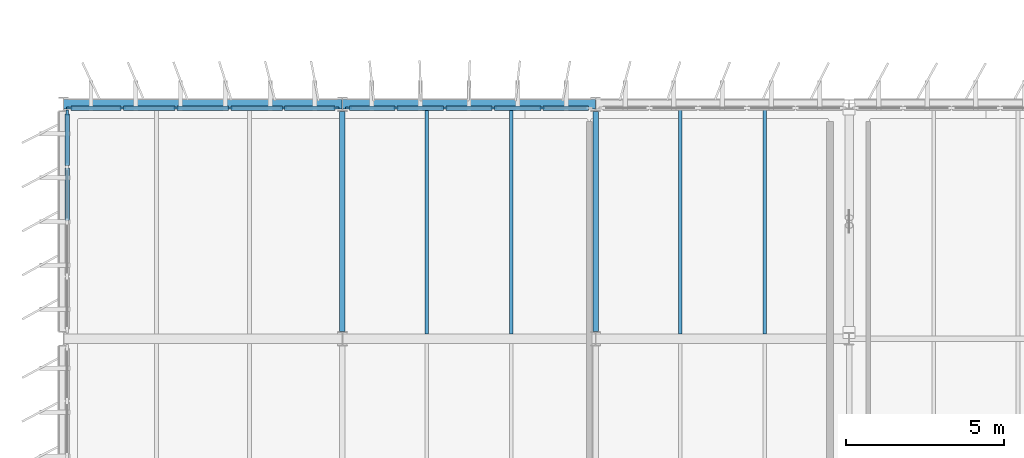
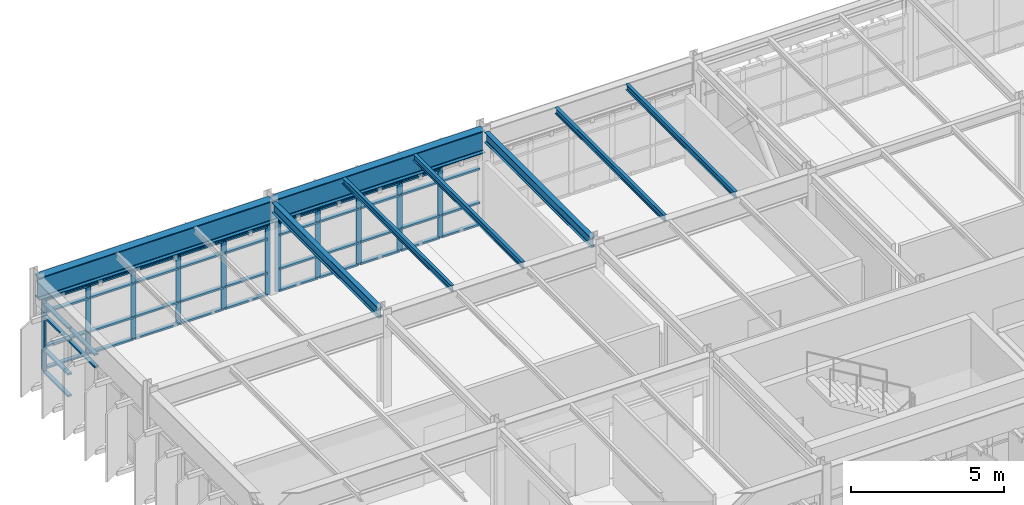
# One storey, part 7 of 35: 57 members, 8 beams, 3 elements without a shape of their own.
"""IFC4 building model written with IfcOpenShell, lengths in metres."""

from ifc_helpers import new_model, si_unit, direction, frame, origin, origin_2d, place, context, subcontext, project, spatial, rectangle, i_section, extrude, material, layer, layer_set, material_profile, profile_set, type_object, element, aggregate, save


model = new_model("IFC4")

# Units and contexts
model_context = context("Model", 3, precision=1e-05, world=origin(), true_north=direction((0.0, 1.0)))
body_context = subcontext(model_context, "Body", "Model", "MODEL_VIEW")
ifc_project = project(units=[si_unit("LENGTHUNIT", "METRE"), si_unit("AREAUNIT", "SQUARE_METRE"), si_unit("VOLUMEUNIT", "CUBIC_METRE"), si_unit("PLANEANGLEUNIT", "RADIAN"), si_unit("MASSUNIT", "GRAM", prefix="KILO")], contexts=[model_context])

# Site, building, storey
site_placement = place(None, origin())
site = spatial("IfcSite", under=ifc_project, at=site_placement, CompositionType="ELEMENT")
building_placement = place(site_placement, origin())
building = spatial("IfcBuilding", under=site, at=building_placement, Name="Valkorina Park Police Headquarters", CompositionType="ELEMENT")
storey_placement = place(building_placement, frame((0.0, 0.0, 27.199951171875)))
storey = spatial("IfcBuildingStorey", under=building, at=storey_placement, Name="L07", CompositionType="ELEMENT", Elevation=27.199951171875)

# Beams
ifc_material_1 = material(Name="Steel S355", Category="steel")
ifc_material_profile_1 = material_profile(ifc_material_1, i_section(OverallWidth=0.300048828125, OverallDepth=0.89990234375, WebThickness=0.0185546875, FlangeThickness=0.034912109375, FilletRadius=0.030029296875, at=origin_2d()), Name="HEB 900")
ifc_profile_set_1 = profile_set([ifc_material_profile_1], Name="Steel S355")
beam_type_1 = type_object("IfcBeamType", Name="BM-S355-HEB900-EXT", PredefinedType="SPANDREL", material=ifc_profile_set_1)
beam_1_placement = place(storey_placement, frame((0.007080078125, 59.199951171875, 3.22998046875), z_axis=(1.0, 0.0, 0.0), x_axis=(0.0, 1.0, 0.0)))
element("IfcBeam", 1, at=beam_1_placement, inside=storey, type_object=beam_type_1, Name="L07 Framing Beam 2744", PredefinedType="SPANDREL", context=body_context, shape_type="SweptSolid", body=[
    extrude(i_section(OverallWidth=0.300048828125, OverallDepth=0.89990234375, WebThickness=0.0185546875, FlangeThickness=0.034912109375, FilletRadius=0.030029296875, at=origin_2d()), origin(), (0.0, 0.0, 1.0), 8.785888671875),
])
beam_2_placement = place(storey_placement, frame((8.806884765625, 59.199951171875, 3.22998046875), z_axis=(1.0, 0.0, 0.0), x_axis=(0.0, 1.0, 0.0)))
element("IfcBeam", 2, at=beam_2_placement, inside=storey, type_object=beam_type_1, Name="L07 Framing Beam 2745", PredefinedType="SPANDREL", context=body_context, shape_type="SweptSolid", body=[
    extrude(i_section(OverallWidth=0.300048828125, OverallDepth=0.89990234375, WebThickness=0.0185546875, FlangeThickness=0.034912109375, FilletRadius=0.030029296875, at=origin_2d()), origin(), (0.0, 0.0, 1.0), 7.986083984375),
])
ifc_material_profile_2 = material_profile(ifc_material_1, i_section(OverallWidth=0.1201171875, OverallDepth=0.239990234375, WebThickness=0.006103515625, FlangeThickness=0.009765625, FilletRadius=0.014892578125, at=origin_2d()), Name="IPE 240")
ifc_profile_set_2 = profile_set([ifc_material_profile_2], Name="Steel S355")
beam_type_2 = type_object("IfcBeamType", Name="BM-S355-IPE240-JST", PredefinedType="JOIST", material=ifc_profile_set_2)
for number, where, z_axis, x_axis, name in (
    (3, (11.466796875, 51.949951171875, 3.56005859375), (0.0, 1.0, 0.0), (-1.0, 0.0, 0.0), "L07 Framing Beam 2769"),
    (4, (14.13330078125, 51.949951171875, 3.56005859375), (0.0, 1.0, 0.0), (-1.0, 0.0, 0.0), "L07 Framing Beam 2770"),
    (5, (19.466796875, 51.949951171875, 3.56005859375), (0.0, 1.0, 0.0), (-1.0, 0.0, 0.0), "L07 Framing Beam 2776"),
    (6, (22.13330078125, 51.949951171875, 3.56005859375), (0.0, 1.0, 0.0), (-1.0, 0.0, 0.0), "L07 Framing Beam 2777"),
):
    element("IfcBeam", number, at=place(storey_placement, frame(where, z_axis=z_axis, x_axis=x_axis)), inside=storey, type_object=beam_type_2, Name=name, PredefinedType="JOIST", context=body_context, shape_type="SweptSolid", body=[
        extrude(i_section(OverallWidth=0.1201171875, OverallDepth=0.239990234375, WebThickness=0.006103515625, FlangeThickness=0.009765625, FilletRadius=0.014892578125, at=origin_2d()), origin(), (0.0, 0.0, 1.0), 7.10009765625),
    ])
ifc_material_profile_3 = material_profile(ifc_material_1, i_section(OverallWidth=0.179931640625, OverallDepth=0.39990234375, WebThickness=0.008544921875, FlangeThickness=0.013427734375, FilletRadius=0.02099609375, at=origin_2d()), Name="IPE 400")
ifc_profile_set_3 = profile_set([ifc_material_profile_3], Name="Steel S355")
beam_type_3 = type_object("IfcBeamType", Name="BM-S355-IPE400-BM", PredefinedType="BEAM", material=ifc_profile_set_3)
for number, where, z_axis, x_axis, name in (
    (7, (8.800048828125, 52.02490234375, 3.47998046875), (0.0, 1.0, 0.0), (-1.0, 0.0, 0.0), "L07 Framing Beam 2768"),
    (8, (16.800048828125, 52.02490234375, 3.47998046875), (0.0, 1.0, 0.0), (-1.0, 0.0, 0.0), "L07 Framing Beam 2775"),
):
    element("IfcBeam", number, at=place(storey_placement, frame(where, z_axis=z_axis, x_axis=x_axis)), inside=storey, type_object=beam_type_3, Name=name, PredefinedType="BEAM", context=body_context, shape_type="SweptSolid", body=[
        extrude(i_section(OverallWidth=0.179931640625, OverallDepth=0.39990234375, WebThickness=0.008544921875, FlangeThickness=0.013427734375, FilletRadius=0.02099609375, at=origin_2d()), origin(), (0.0, 0.0, 1.0), 6.9501953125),
    ])

# Curtain wall, member
ifc_material_2 = material(Name="Thermally broken aluminium AW-6060", Category="aluminium")
ifc_layer_1 = layer(ifc_material_2, 0.18994140625)
ifc_layer_set_1 = layer_set([ifc_layer_1], Name="Thermally broken aluminium AW-6060")
curtain_wall_type_1 = type_object("IfcCurtainWallType", Name="CW-V5-6930x2770", PredefinedType="NOTDEFINED", material=ifc_layer_set_1)
curtain_wall_1_placement = place(storey_placement, origin())
curtain_wall_1 = element("IfcCurtainWall", 9, at=curtain_wall_1_placement, inside=storey, type_object=curtain_wall_type_1, Name="L07 Unitised Curtain Wall 144", PredefinedType="NOTDEFINED")
ifc_material_profile_4 = material_profile(ifc_material_2, rectangle(XDim=0.070068359375, YDim=0.18994140625, at=origin_2d()), Name="CWM-02 70x190")
ifc_profile_set_4 = profile_set([ifc_material_profile_4], Name="Thermally broken aluminium AW-6060")
member_type_1 = type_object("IfcMemberType", Name="CWM-70x190", PredefinedType="MULLION", material=ifc_profile_set_4)
member_1_placement = place(storey_placement, frame((0.1201171875, 58.929931640625, 0.0), z_axis=(0.0, 0.0, 1.0), x_axis=(-1.0, 0.0, 0.0)))
member_1 = element("IfcMember", 10, at=member_1_placement, type_object=member_type_1, Name="CW-V5-693-277 mullion 5", PredefinedType="MULLION", context=body_context, shape_type="SweptSolid", body=[
    extrude(rectangle(XDim=0.070068359375, YDim=0.18994140625, at=origin_2d()), origin(), (0.0, 0.0, 1.0), 2.77001953125),
])

# Curtain wall, members
ifc_layer_2 = layer(ifc_material_2, 0.18994140625)
ifc_layer_set_2 = layer_set([ifc_layer_2], Name="Thermally broken aluminium AW-6060")
curtain_wall_type_2 = type_object("IfcCurtainWallType", Name="CW-V5-8480x2770", PredefinedType="NOTDEFINED", material=ifc_layer_set_2)
curtain_wall_2_placement = place(storey_placement, origin())
curtain_wall_2 = element("IfcCurtainWall", 11, at=curtain_wall_2_placement, inside=storey, type_object=curtain_wall_type_2, Name="L07 Unitised Curtain Wall 145", PredefinedType="NOTDEFINED")
member_2_placement = place(storey_placement, frame((0.195068359375, 59.080078125, 0.0), z_axis=(0.0, 0.0, 1.0), x_axis=(0.0, 1.0, 0.0)))
member_2 = element("IfcMember", 12, at=member_2_placement, type_object=member_type_1, Name="CW-V5-848-277 mullion 1", PredefinedType="MULLION", context=body_context, shape_type="SweptSolid", body=[
    extrude(rectangle(XDim=0.070068359375, YDim=0.18994140625, at=origin_2d()), origin(), (0.0, 0.0, 1.0), 2.77001953125),
])
member_3_placement = place(storey_placement, frame((1.85595703125, 59.080078125, 0.0), z_axis=(0.0, 0.0, 1.0), x_axis=(0.0, 1.0, 0.0)))
member_3 = element("IfcMember", 13, at=member_3_placement, type_object=member_type_1, Name="CW-V5-848-277 mullion 2", PredefinedType="MULLION", context=body_context, shape_type="SweptSolid", body=[
    extrude(rectangle(XDim=0.070068359375, YDim=0.18994140625, at=origin_2d()), origin(), (0.0, 0.0, 1.0), 2.77001953125),
])
member_4_placement = place(storey_placement, frame((3.552001953125, 59.080078125, 0.0), z_axis=(0.0, 0.0, 1.0), x_axis=(0.0, 1.0, 0.0)))
member_4 = element("IfcMember", 14, at=member_4_placement, type_object=member_type_1, Name="CW-V5-848-277 mullion 3", PredefinedType="MULLION", context=body_context, shape_type="SweptSolid", body=[
    extrude(rectangle(XDim=0.070068359375, YDim=0.18994140625, at=origin_2d()), origin(), (0.0, 0.0, 1.0), 2.77001953125),
])
member_5_placement = place(storey_placement, frame((5.248046875, 59.080078125, 0.0), z_axis=(0.0, 0.0, 1.0), x_axis=(0.0, 1.0, 0.0)))
member_5 = element("IfcMember", 15, at=member_5_placement, type_object=member_type_1, Name="CW-V5-848-277 mullion 4", PredefinedType="MULLION", context=body_context, shape_type="SweptSolid", body=[
    extrude(rectangle(XDim=0.070068359375, YDim=0.18994140625, at=origin_2d()), origin(), (0.0, 0.0, 1.0), 2.77001953125),
])
member_6_placement = place(storey_placement, frame((6.944091796875, 59.080078125, 0.0), z_axis=(0.0, 0.0, 1.0), x_axis=(0.0, 1.0, 0.0)))
member_6 = element("IfcMember", 16, at=member_6_placement, type_object=member_type_1, Name="CW-V5-848-277 mullion 5", PredefinedType="MULLION", context=body_context, shape_type="SweptSolid", body=[
    extrude(rectangle(XDim=0.070068359375, YDim=0.18994140625, at=origin_2d()), origin(), (0.0, 0.0, 1.0), 2.77001953125),
])
member_7_placement = place(storey_placement, frame((8.60498046875, 59.080078125, 0.0), z_axis=(0.0, 0.0, 1.0), x_axis=(0.0, 1.0, 0.0)))
member_7 = element("IfcMember", 17, at=member_7_placement, type_object=member_type_1, Name="CW-V5-848-277 mullion 6", PredefinedType="MULLION", context=body_context, shape_type="SweptSolid", body=[
    extrude(rectangle(XDim=0.070068359375, YDim=0.18994140625, at=origin_2d()), origin(), (0.0, 0.0, 1.0), 2.77001953125),
])

ifc_layer_3 = layer(ifc_material_2, 0.18994140625)
ifc_layer_set_3 = layer_set([ifc_layer_3], Name="Thermally broken aluminium AW-6060")
curtain_wall_type_3 = type_object("IfcCurtainWallType", Name="CW-V5-7680x2770", PredefinedType="NOTDEFINED", material=ifc_layer_set_3)
curtain_wall_3_placement = place(storey_placement, origin())
curtain_wall_3 = element("IfcCurtainWall", 18, at=curtain_wall_3_placement, inside=storey, type_object=curtain_wall_type_3, Name="L07 Unitised Curtain Wall 146", PredefinedType="NOTDEFINED")
member_8_placement = place(storey_placement, frame((8.9951171875, 59.080078125, 0.0), z_axis=(0.0, 0.0, 1.0), x_axis=(0.0, 1.0, 0.0)))
member_8 = element("IfcMember", 19, at=member_8_placement, type_object=member_type_1, Name="CW-V5-768-277 mullion 1", PredefinedType="MULLION", context=body_context, shape_type="SweptSolid", body=[
    extrude(rectangle(XDim=0.070068359375, YDim=0.18994140625, at=origin_2d()), origin(), (0.0, 0.0, 1.0), 2.77001953125),
])
member_9_placement = place(storey_placement, frame((10.49609375, 59.080078125, 0.0), z_axis=(0.0, 0.0, 1.0), x_axis=(0.0, 1.0, 0.0)))
member_9 = element("IfcMember", 20, at=member_9_placement, type_object=member_type_1, Name="CW-V5-768-277 mullion 2", PredefinedType="MULLION", context=body_context, shape_type="SweptSolid", body=[
    extrude(rectangle(XDim=0.070068359375, YDim=0.18994140625, at=origin_2d()), origin(), (0.0, 0.0, 1.0), 2.77001953125),
])
member_10_placement = place(storey_placement, frame((12.031982421875, 59.080078125, 0.0), z_axis=(0.0, 0.0, 1.0), x_axis=(0.0, 1.0, 0.0)))
member_10 = element("IfcMember", 21, at=member_10_placement, type_object=member_type_1, Name="CW-V5-768-277 mullion 3", PredefinedType="MULLION", context=body_context, shape_type="SweptSolid", body=[
    extrude(rectangle(XDim=0.070068359375, YDim=0.18994140625, at=origin_2d()), origin(), (0.0, 0.0, 1.0), 2.77001953125),
])
member_11_placement = place(storey_placement, frame((13.568115234375, 59.080078125, 0.0), z_axis=(0.0, 0.0, 1.0), x_axis=(0.0, 1.0, 0.0)))
member_11 = element("IfcMember", 22, at=member_11_placement, type_object=member_type_1, Name="CW-V5-768-277 mullion 4", PredefinedType="MULLION", context=body_context, shape_type="SweptSolid", body=[
    extrude(rectangle(XDim=0.070068359375, YDim=0.18994140625, at=origin_2d()), origin(), (0.0, 0.0, 1.0), 2.77001953125),
])
member_12_placement = place(storey_placement, frame((15.10400390625, 59.080078125, 0.0), z_axis=(0.0, 0.0, 1.0), x_axis=(0.0, 1.0, 0.0)))
member_12 = element("IfcMember", 23, at=member_12_placement, type_object=member_type_1, Name="CW-V5-768-277 mullion 5", PredefinedType="MULLION", context=body_context, shape_type="SweptSolid", body=[
    extrude(rectangle(XDim=0.070068359375, YDim=0.18994140625, at=origin_2d()), origin(), (0.0, 0.0, 1.0), 2.77001953125),
])

# Member
ifc_material_profile_5 = material_profile(ifc_material_2, rectangle(XDim=0.14990234375, YDim=0.070068359375, at=origin_2d()), Name="CWT-02 150x70")
ifc_profile_set_5 = profile_set([ifc_material_profile_5], Name="Thermally broken aluminium AW-6060")
member_type_2 = type_object("IfcMemberType", Name="CWT-150x70", PredefinedType="USERDEFINED", material=ifc_profile_set_5)
member_13_placement = place(storey_placement, frame((0.1201171875, 55.534912109375, 2.25), z_axis=(0.0, 1.0, 0.0), x_axis=(-1.0, 0.0, 0.0)))
member_13 = element("IfcMember", 24, at=member_13_placement, type_object=member_type_2, Name="CW-V5-693-277 transom 3.3", ObjectType="TRANSOM", PredefinedType="USERDEFINED", context=body_context, shape_type="SweptSolid", body=[
    extrude(rectangle(XDim=0.14990234375, YDim=0.070068359375, at=origin_2d()), origin(), (0.0, 0.0, 1.0), 1.66259765625),
])

member_14_placement = place(storey_placement, frame((0.1201171875, 55.534912109375, 2.735107421875), z_axis=(0.0, 1.0, 0.0), x_axis=(-1.0, 0.0, 0.0)))
member_14 = element("IfcMember", 25, at=member_14_placement, type_object=member_type_2, Name="CW-V5-693-277 transom 3.4", ObjectType="TRANSOM", PredefinedType="USERDEFINED", context=body_context, shape_type="SweptSolid", body=[
    extrude(rectangle(XDim=0.14990234375, YDim=0.070068359375, at=origin_2d()), origin(), (0.0, 0.0, 1.0), 1.66259765625),
])

member_15_placement = place(storey_placement, frame((0.1201171875, 57.267578125, 0.03515625), z_axis=(0.0, 1.0, 0.0), x_axis=(-1.0, 0.0, 0.0)))
member_15 = element("IfcMember", 26, at=member_15_placement, type_object=member_type_2, Name="CW-V5-693-277 transom 4.1", ObjectType="TRANSOM", PredefinedType="USERDEFINED", context=body_context, shape_type="SweptSolid", body=[
    extrude(rectangle(XDim=0.14990234375, YDim=0.070068359375, at=origin_2d()), origin(), (0.0, 0.0, 1.0), 1.62744140625),
])

member_16_placement = place(storey_placement, frame((0.1201171875, 57.267578125, 0.900146484375), z_axis=(0.0, 1.0, 0.0), x_axis=(-1.0, 0.0, 0.0)))
member_16 = element("IfcMember", 27, at=member_16_placement, type_object=member_type_2, Name="CW-V5-693-277 transom 4.2", ObjectType="TRANSOM", PredefinedType="USERDEFINED", context=body_context, shape_type="SweptSolid", body=[
    extrude(rectangle(XDim=0.14990234375, YDim=0.070068359375, at=origin_2d()), origin(), (0.0, 0.0, 1.0), 1.62744140625),
])

member_17_placement = place(storey_placement, frame((0.1201171875, 57.267578125, 2.25), z_axis=(0.0, 1.0, 0.0), x_axis=(-1.0, 0.0, 0.0)))
member_17 = element("IfcMember", 28, at=member_17_placement, type_object=member_type_2, Name="CW-V5-693-277 transom 4.3", ObjectType="TRANSOM", PredefinedType="USERDEFINED", context=body_context, shape_type="SweptSolid", body=[
    extrude(rectangle(XDim=0.14990234375, YDim=0.070068359375, at=origin_2d()), origin(), (0.0, 0.0, 1.0), 1.62744140625),
])

member_18_placement = place(storey_placement, frame((0.1201171875, 57.267578125, 2.735107421875), z_axis=(0.0, 1.0, 0.0), x_axis=(-1.0, 0.0, 0.0)))
member_18 = element("IfcMember", 29, at=member_18_placement, type_object=member_type_2, Name="CW-V5-693-277 transom 4.4", ObjectType="TRANSOM", PredefinedType="USERDEFINED", context=body_context, shape_type="SweptSolid", body=[
    extrude(rectangle(XDim=0.14990234375, YDim=0.070068359375, at=origin_2d()), origin(), (0.0, 0.0, 1.0), 1.62744140625),
])

aggregate(curtain_wall_1, [member_1, member_13, member_14, member_15, member_16, member_17, member_18])

member_19_placement = place(storey_placement, frame((0.22998046875, 59.080078125, 0.03515625), z_axis=(1.0, 0.0, 0.0), x_axis=(0.0, 1.0, 0.0)))
member_19 = element("IfcMember", 30, at=member_19_placement, type_object=member_type_2, Name="CW-V5-848-277 transom 1.1", ObjectType="TRANSOM", PredefinedType="USERDEFINED", context=body_context, shape_type="SweptSolid", body=[
    extrude(rectangle(XDim=0.14990234375, YDim=0.070068359375, at=origin_2d()), origin(), (0.0, 0.0, 1.0), 1.591064453125),
])

member_20_placement = place(storey_placement, frame((0.22998046875, 59.080078125, 0.900146484375), z_axis=(1.0, 0.0, 0.0), x_axis=(0.0, 1.0, 0.0)))
member_20 = element("IfcMember", 31, at=member_20_placement, type_object=member_type_2, Name="CW-V5-848-277 transom 1.2", ObjectType="TRANSOM", PredefinedType="USERDEFINED", context=body_context, shape_type="SweptSolid", body=[
    extrude(rectangle(XDim=0.14990234375, YDim=0.070068359375, at=origin_2d()), origin(), (0.0, 0.0, 1.0), 1.591064453125),
])

member_21_placement = place(storey_placement, frame((0.22998046875, 59.080078125, 2.25), z_axis=(1.0, 0.0, 0.0), x_axis=(0.0, 1.0, 0.0)))
member_21 = element("IfcMember", 32, at=member_21_placement, type_object=member_type_2, Name="CW-V5-848-277 transom 1.3", ObjectType="TRANSOM", PredefinedType="USERDEFINED", context=body_context, shape_type="SweptSolid", body=[
    extrude(rectangle(XDim=0.14990234375, YDim=0.070068359375, at=origin_2d()), origin(), (0.0, 0.0, 1.0), 1.591064453125),
])

member_22_placement = place(storey_placement, frame((0.22998046875, 59.080078125, 2.735107421875), z_axis=(1.0, 0.0, 0.0), x_axis=(0.0, 1.0, 0.0)))
member_22 = element("IfcMember", 33, at=member_22_placement, type_object=member_type_2, Name="CW-V5-848-277 transom 1.4", ObjectType="TRANSOM", PredefinedType="USERDEFINED", context=body_context, shape_type="SweptSolid", body=[
    extrude(rectangle(XDim=0.14990234375, YDim=0.070068359375, at=origin_2d()), origin(), (0.0, 0.0, 1.0), 1.591064453125),
])

member_23_placement = place(storey_placement, frame((1.89111328125, 59.080078125, 0.03515625), z_axis=(1.0, 0.0, 0.0), x_axis=(0.0, 1.0, 0.0)))
member_23 = element("IfcMember", 34, at=member_23_placement, type_object=member_type_2, Name="CW-V5-848-277 transom 2.1", ObjectType="TRANSOM", PredefinedType="USERDEFINED", context=body_context, shape_type="SweptSolid", body=[
    extrude(rectangle(XDim=0.14990234375, YDim=0.070068359375, at=origin_2d()), origin(), (0.0, 0.0, 1.0), 1.6259765625),
])

member_24_placement = place(storey_placement, frame((1.89111328125, 59.080078125, 0.900146484375), z_axis=(1.0, 0.0, 0.0), x_axis=(0.0, 1.0, 0.0)))
member_24 = element("IfcMember", 35, at=member_24_placement, type_object=member_type_2, Name="CW-V5-848-277 transom 2.2", ObjectType="TRANSOM", PredefinedType="USERDEFINED", context=body_context, shape_type="SweptSolid", body=[
    extrude(rectangle(XDim=0.14990234375, YDim=0.070068359375, at=origin_2d()), origin(), (0.0, 0.0, 1.0), 1.6259765625),
])

member_25_placement = place(storey_placement, frame((1.89111328125, 59.080078125, 2.25), z_axis=(1.0, 0.0, 0.0), x_axis=(0.0, 1.0, 0.0)))
member_25 = element("IfcMember", 36, at=member_25_placement, type_object=member_type_2, Name="CW-V5-848-277 transom 2.3", ObjectType="TRANSOM", PredefinedType="USERDEFINED", context=body_context, shape_type="SweptSolid", body=[
    extrude(rectangle(XDim=0.14990234375, YDim=0.070068359375, at=origin_2d()), origin(), (0.0, 0.0, 1.0), 1.6259765625),
])

member_26_placement = place(storey_placement, frame((1.89111328125, 59.080078125, 2.735107421875), z_axis=(1.0, 0.0, 0.0), x_axis=(0.0, 1.0, 0.0)))
member_26 = element("IfcMember", 37, at=member_26_placement, type_object=member_type_2, Name="CW-V5-848-277 transom 2.4", ObjectType="TRANSOM", PredefinedType="USERDEFINED", context=body_context, shape_type="SweptSolid", body=[
    extrude(rectangle(XDim=0.14990234375, YDim=0.070068359375, at=origin_2d()), origin(), (0.0, 0.0, 1.0), 1.6259765625),
])

member_27_placement = place(storey_placement, frame((3.5869140625, 59.080078125, 0.03515625), z_axis=(1.0, 0.0, 0.0), x_axis=(0.0, 1.0, 0.0)))
member_27 = element("IfcMember", 38, at=member_27_placement, type_object=member_type_2, Name="CW-V5-848-277 transom 3.1", ObjectType="TRANSOM", PredefinedType="USERDEFINED", context=body_context, shape_type="SweptSolid", body=[
    extrude(rectangle(XDim=0.14990234375, YDim=0.070068359375, at=origin_2d()), origin(), (0.0, 0.0, 1.0), 1.6259765625),
])

member_28_placement = place(storey_placement, frame((3.5869140625, 59.080078125, 0.900146484375), z_axis=(1.0, 0.0, 0.0), x_axis=(0.0, 1.0, 0.0)))
member_28 = element("IfcMember", 39, at=member_28_placement, type_object=member_type_2, Name="CW-V5-848-277 transom 3.2", ObjectType="TRANSOM", PredefinedType="USERDEFINED", context=body_context, shape_type="SweptSolid", body=[
    extrude(rectangle(XDim=0.14990234375, YDim=0.070068359375, at=origin_2d()), origin(), (0.0, 0.0, 1.0), 1.6259765625),
])

member_29_placement = place(storey_placement, frame((3.5869140625, 59.080078125, 2.25), z_axis=(1.0, 0.0, 0.0), x_axis=(0.0, 1.0, 0.0)))
member_29 = element("IfcMember", 40, at=member_29_placement, type_object=member_type_2, Name="CW-V5-848-277 transom 3.3", ObjectType="TRANSOM", PredefinedType="USERDEFINED", context=body_context, shape_type="SweptSolid", body=[
    extrude(rectangle(XDim=0.14990234375, YDim=0.070068359375, at=origin_2d()), origin(), (0.0, 0.0, 1.0), 1.6259765625),
])

member_30_placement = place(storey_placement, frame((3.5869140625, 59.080078125, 2.735107421875), z_axis=(1.0, 0.0, 0.0), x_axis=(0.0, 1.0, 0.0)))
member_30 = element("IfcMember", 41, at=member_30_placement, type_object=member_type_2, Name="CW-V5-848-277 transom 3.4", ObjectType="TRANSOM", PredefinedType="USERDEFINED", context=body_context, shape_type="SweptSolid", body=[
    extrude(rectangle(XDim=0.14990234375, YDim=0.070068359375, at=origin_2d()), origin(), (0.0, 0.0, 1.0), 1.6259765625),
])

member_31_placement = place(storey_placement, frame((5.282958984375, 59.080078125, 0.03515625), z_axis=(1.0, 0.0, 0.0), x_axis=(0.0, 1.0, 0.0)))
member_31 = element("IfcMember", 42, at=member_31_placement, type_object=member_type_2, Name="CW-V5-848-277 transom 4.1", ObjectType="TRANSOM", PredefinedType="USERDEFINED", context=body_context, shape_type="SweptSolid", body=[
    extrude(rectangle(XDim=0.14990234375, YDim=0.070068359375, at=origin_2d()), origin(), (0.0, 0.0, 1.0), 1.6259765625),
])

member_32_placement = place(storey_placement, frame((5.282958984375, 59.080078125, 0.900146484375), z_axis=(1.0, 0.0, 0.0), x_axis=(0.0, 1.0, 0.0)))
member_32 = element("IfcMember", 43, at=member_32_placement, type_object=member_type_2, Name="CW-V5-848-277 transom 4.2", ObjectType="TRANSOM", PredefinedType="USERDEFINED", context=body_context, shape_type="SweptSolid", body=[
    extrude(rectangle(XDim=0.14990234375, YDim=0.070068359375, at=origin_2d()), origin(), (0.0, 0.0, 1.0), 1.6259765625),
])

member_33_placement = place(storey_placement, frame((5.282958984375, 59.080078125, 2.25), z_axis=(1.0, 0.0, 0.0), x_axis=(0.0, 1.0, 0.0)))
member_33 = element("IfcMember", 44, at=member_33_placement, type_object=member_type_2, Name="CW-V5-848-277 transom 4.3", ObjectType="TRANSOM", PredefinedType="USERDEFINED", context=body_context, shape_type="SweptSolid", body=[
    extrude(rectangle(XDim=0.14990234375, YDim=0.070068359375, at=origin_2d()), origin(), (0.0, 0.0, 1.0), 1.6259765625),
])

member_34_placement = place(storey_placement, frame((5.282958984375, 59.080078125, 2.735107421875), z_axis=(1.0, 0.0, 0.0), x_axis=(0.0, 1.0, 0.0)))
member_34 = element("IfcMember", 45, at=member_34_placement, type_object=member_type_2, Name="CW-V5-848-277 transom 4.4", ObjectType="TRANSOM", PredefinedType="USERDEFINED", context=body_context, shape_type="SweptSolid", body=[
    extrude(rectangle(XDim=0.14990234375, YDim=0.070068359375, at=origin_2d()), origin(), (0.0, 0.0, 1.0), 1.6259765625),
])

member_35_placement = place(storey_placement, frame((6.97900390625, 59.080078125, 0.03515625), z_axis=(1.0, 0.0, 0.0), x_axis=(0.0, 1.0, 0.0)))
member_35 = element("IfcMember", 46, at=member_35_placement, type_object=member_type_2, Name="CW-V5-848-277 transom 5.1", ObjectType="TRANSOM", PredefinedType="USERDEFINED", context=body_context, shape_type="SweptSolid", body=[
    extrude(rectangle(XDim=0.14990234375, YDim=0.070068359375, at=origin_2d()), origin(), (0.0, 0.0, 1.0), 1.591064453125),
])

member_36_placement = place(storey_placement, frame((6.97900390625, 59.080078125, 0.900146484375), z_axis=(1.0, 0.0, 0.0), x_axis=(0.0, 1.0, 0.0)))
member_36 = element("IfcMember", 47, at=member_36_placement, type_object=member_type_2, Name="CW-V5-848-277 transom 5.2", ObjectType="TRANSOM", PredefinedType="USERDEFINED", context=body_context, shape_type="SweptSolid", body=[
    extrude(rectangle(XDim=0.14990234375, YDim=0.070068359375, at=origin_2d()), origin(), (0.0, 0.0, 1.0), 1.591064453125),
])

member_37_placement = place(storey_placement, frame((6.97900390625, 59.080078125, 2.25), z_axis=(1.0, 0.0, 0.0), x_axis=(0.0, 1.0, 0.0)))
member_37 = element("IfcMember", 48, at=member_37_placement, type_object=member_type_2, Name="CW-V5-848-277 transom 5.3", ObjectType="TRANSOM", PredefinedType="USERDEFINED", context=body_context, shape_type="SweptSolid", body=[
    extrude(rectangle(XDim=0.14990234375, YDim=0.070068359375, at=origin_2d()), origin(), (0.0, 0.0, 1.0), 1.591064453125),
])

member_38_placement = place(storey_placement, frame((6.97900390625, 59.080078125, 2.735107421875), z_axis=(1.0, 0.0, 0.0), x_axis=(0.0, 1.0, 0.0)))
member_38 = element("IfcMember", 49, at=member_38_placement, type_object=member_type_2, Name="CW-V5-848-277 transom 5.4", ObjectType="TRANSOM", PredefinedType="USERDEFINED", context=body_context, shape_type="SweptSolid", body=[
    extrude(rectangle(XDim=0.14990234375, YDim=0.070068359375, at=origin_2d()), origin(), (0.0, 0.0, 1.0), 1.591064453125),
])

aggregate(curtain_wall_2, [member_2, member_3, member_4, member_5, member_6, member_7, member_19, member_20, member_21, member_22, member_23, member_24, member_25, member_26, member_27, member_28, member_29, member_30, member_31, member_32, member_33, member_34, member_35, member_36, member_37, member_38])

member_39_placement = place(storey_placement, frame((9.030029296875, 59.080078125, 0.03515625), z_axis=(1.0, 0.0, 0.0), x_axis=(0.0, 1.0, 0.0)))
member_39 = element("IfcMember", 50, at=member_39_placement, type_object=member_type_2, Name="CW-V5-768-277 transom 1.1", ObjectType="TRANSOM", PredefinedType="USERDEFINED", context=body_context, shape_type="SweptSolid", body=[
    extrude(rectangle(XDim=0.14990234375, YDim=0.070068359375, at=origin_2d()), origin(), (0.0, 0.0, 1.0), 1.430908203125),
])

member_40_placement = place(storey_placement, frame((9.030029296875, 59.080078125, 0.900146484375), z_axis=(1.0, 0.0, 0.0), x_axis=(0.0, 1.0, 0.0)))
member_40 = element("IfcMember", 51, at=member_40_placement, type_object=member_type_2, Name="CW-V5-768-277 transom 1.2", ObjectType="TRANSOM", PredefinedType="USERDEFINED", context=body_context, shape_type="SweptSolid", body=[
    extrude(rectangle(XDim=0.14990234375, YDim=0.070068359375, at=origin_2d()), origin(), (0.0, 0.0, 1.0), 1.430908203125),
])

member_41_placement = place(storey_placement, frame((9.030029296875, 59.080078125, 2.25), z_axis=(1.0, 0.0, 0.0), x_axis=(0.0, 1.0, 0.0)))
member_41 = element("IfcMember", 52, at=member_41_placement, type_object=member_type_2, Name="CW-V5-768-277 transom 1.3", ObjectType="TRANSOM", PredefinedType="USERDEFINED", context=body_context, shape_type="SweptSolid", body=[
    extrude(rectangle(XDim=0.14990234375, YDim=0.070068359375, at=origin_2d()), origin(), (0.0, 0.0, 1.0), 1.430908203125),
])

member_42_placement = place(storey_placement, frame((9.030029296875, 59.080078125, 2.735107421875), z_axis=(1.0, 0.0, 0.0), x_axis=(0.0, 1.0, 0.0)))
member_42 = element("IfcMember", 53, at=member_42_placement, type_object=member_type_2, Name="CW-V5-768-277 transom 1.4", ObjectType="TRANSOM", PredefinedType="USERDEFINED", context=body_context, shape_type="SweptSolid", body=[
    extrude(rectangle(XDim=0.14990234375, YDim=0.070068359375, at=origin_2d()), origin(), (0.0, 0.0, 1.0), 1.430908203125),
])

member_43_placement = place(storey_placement, frame((10.531005859375, 59.080078125, 0.03515625), z_axis=(1.0, 0.0, 0.0), x_axis=(0.0, 1.0, 0.0)))
member_43 = element("IfcMember", 54, at=member_43_placement, type_object=member_type_2, Name="CW-V5-768-277 transom 2.1", ObjectType="TRANSOM", PredefinedType="USERDEFINED", context=body_context, shape_type="SweptSolid", body=[
    extrude(rectangle(XDim=0.14990234375, YDim=0.070068359375, at=origin_2d()), origin(), (0.0, 0.0, 1.0), 1.466064453125),
])

member_44_placement = place(storey_placement, frame((10.531005859375, 59.080078125, 0.900146484375), z_axis=(1.0, 0.0, 0.0), x_axis=(0.0, 1.0, 0.0)))
member_44 = element("IfcMember", 55, at=member_44_placement, type_object=member_type_2, Name="CW-V5-768-277 transom 2.2", ObjectType="TRANSOM", PredefinedType="USERDEFINED", context=body_context, shape_type="SweptSolid", body=[
    extrude(rectangle(XDim=0.14990234375, YDim=0.070068359375, at=origin_2d()), origin(), (0.0, 0.0, 1.0), 1.466064453125),
])

member_45_placement = place(storey_placement, frame((10.531005859375, 59.080078125, 2.25), z_axis=(1.0, 0.0, 0.0), x_axis=(0.0, 1.0, 0.0)))
member_45 = element("IfcMember", 56, at=member_45_placement, type_object=member_type_2, Name="CW-V5-768-277 transom 2.3", ObjectType="TRANSOM", PredefinedType="USERDEFINED", context=body_context, shape_type="SweptSolid", body=[
    extrude(rectangle(XDim=0.14990234375, YDim=0.070068359375, at=origin_2d()), origin(), (0.0, 0.0, 1.0), 1.466064453125),
])

member_46_placement = place(storey_placement, frame((10.531005859375, 59.080078125, 2.735107421875), z_axis=(1.0, 0.0, 0.0), x_axis=(0.0, 1.0, 0.0)))
member_46 = element("IfcMember", 57, at=member_46_placement, type_object=member_type_2, Name="CW-V5-768-277 transom 2.4", ObjectType="TRANSOM", PredefinedType="USERDEFINED", context=body_context, shape_type="SweptSolid", body=[
    extrude(rectangle(XDim=0.14990234375, YDim=0.070068359375, at=origin_2d()), origin(), (0.0, 0.0, 1.0), 1.466064453125),
])

member_47_placement = place(storey_placement, frame((12.06689453125, 59.080078125, 0.03515625), z_axis=(1.0, 0.0, 0.0), x_axis=(0.0, 1.0, 0.0)))
member_47 = element("IfcMember", 58, at=member_47_placement, type_object=member_type_2, Name="CW-V5-768-277 transom 3.1", ObjectType="TRANSOM", PredefinedType="USERDEFINED", context=body_context, shape_type="SweptSolid", body=[
    extrude(rectangle(XDim=0.14990234375, YDim=0.070068359375, at=origin_2d()), origin(), (0.0, 0.0, 1.0), 1.466064453125),
])

member_48_placement = place(storey_placement, frame((12.06689453125, 59.080078125, 0.900146484375), z_axis=(1.0, 0.0, 0.0), x_axis=(0.0, 1.0, 0.0)))
member_48 = element("IfcMember", 59, at=member_48_placement, type_object=member_type_2, Name="CW-V5-768-277 transom 3.2", ObjectType="TRANSOM", PredefinedType="USERDEFINED", context=body_context, shape_type="SweptSolid", body=[
    extrude(rectangle(XDim=0.14990234375, YDim=0.070068359375, at=origin_2d()), origin(), (0.0, 0.0, 1.0), 1.466064453125),
])

member_49_placement = place(storey_placement, frame((12.06689453125, 59.080078125, 2.25), z_axis=(1.0, 0.0, 0.0), x_axis=(0.0, 1.0, 0.0)))
member_49 = element("IfcMember", 60, at=member_49_placement, type_object=member_type_2, Name="CW-V5-768-277 transom 3.3", ObjectType="TRANSOM", PredefinedType="USERDEFINED", context=body_context, shape_type="SweptSolid", body=[
    extrude(rectangle(XDim=0.14990234375, YDim=0.070068359375, at=origin_2d()), origin(), (0.0, 0.0, 1.0), 1.466064453125),
])

member_50_placement = place(storey_placement, frame((12.06689453125, 59.080078125, 2.735107421875), z_axis=(1.0, 0.0, 0.0), x_axis=(0.0, 1.0, 0.0)))
member_50 = element("IfcMember", 61, at=member_50_placement, type_object=member_type_2, Name="CW-V5-768-277 transom 3.4", ObjectType="TRANSOM", PredefinedType="USERDEFINED", context=body_context, shape_type="SweptSolid", body=[
    extrude(rectangle(XDim=0.14990234375, YDim=0.070068359375, at=origin_2d()), origin(), (0.0, 0.0, 1.0), 1.466064453125),
])

member_51_placement = place(storey_placement, frame((13.60302734375, 59.080078125, 0.03515625), z_axis=(1.0, 0.0, 0.0), x_axis=(0.0, 1.0, 0.0)))
member_51 = element("IfcMember", 62, at=member_51_placement, type_object=member_type_2, Name="CW-V5-768-277 transom 4.1", ObjectType="TRANSOM", PredefinedType="USERDEFINED", context=body_context, shape_type="SweptSolid", body=[
    extrude(rectangle(XDim=0.14990234375, YDim=0.070068359375, at=origin_2d()), origin(), (0.0, 0.0, 1.0), 1.466064453125),
])

member_52_placement = place(storey_placement, frame((13.60302734375, 59.080078125, 0.900146484375), z_axis=(1.0, 0.0, 0.0), x_axis=(0.0, 1.0, 0.0)))
member_52 = element("IfcMember", 63, at=member_52_placement, type_object=member_type_2, Name="CW-V5-768-277 transom 4.2", ObjectType="TRANSOM", PredefinedType="USERDEFINED", context=body_context, shape_type="SweptSolid", body=[
    extrude(rectangle(XDim=0.14990234375, YDim=0.070068359375, at=origin_2d()), origin(), (0.0, 0.0, 1.0), 1.466064453125),
])

member_53_placement = place(storey_placement, frame((13.60302734375, 59.080078125, 2.25), z_axis=(1.0, 0.0, 0.0), x_axis=(0.0, 1.0, 0.0)))
member_53 = element("IfcMember", 64, at=member_53_placement, type_object=member_type_2, Name="CW-V5-768-277 transom 4.3", ObjectType="TRANSOM", PredefinedType="USERDEFINED", context=body_context, shape_type="SweptSolid", body=[
    extrude(rectangle(XDim=0.14990234375, YDim=0.070068359375, at=origin_2d()), origin(), (0.0, 0.0, 1.0), 1.466064453125),
])

member_54_placement = place(storey_placement, frame((13.60302734375, 59.080078125, 2.735107421875), z_axis=(1.0, 0.0, 0.0), x_axis=(0.0, 1.0, 0.0)))
member_54 = element("IfcMember", 65, at=member_54_placement, type_object=member_type_2, Name="CW-V5-768-277 transom 4.4", ObjectType="TRANSOM", PredefinedType="USERDEFINED", context=body_context, shape_type="SweptSolid", body=[
    extrude(rectangle(XDim=0.14990234375, YDim=0.070068359375, at=origin_2d()), origin(), (0.0, 0.0, 1.0), 1.466064453125),
])

member_55_placement = place(storey_placement, frame((15.138916015625, 59.080078125, 0.03515625), z_axis=(1.0, 0.0, 0.0), x_axis=(0.0, 1.0, 0.0)))
member_55 = element("IfcMember", 66, at=member_55_placement, type_object=member_type_2, Name="CW-V5-768-277 transom 5.1", ObjectType="TRANSOM", PredefinedType="USERDEFINED", context=body_context, shape_type="SweptSolid", body=[
    extrude(rectangle(XDim=0.14990234375, YDim=0.070068359375, at=origin_2d()), origin(), (0.0, 0.0, 1.0), 1.43115234375),
])

member_56_placement = place(storey_placement, frame((15.138916015625, 59.080078125, 0.900146484375), z_axis=(1.0, 0.0, 0.0), x_axis=(0.0, 1.0, 0.0)))
member_56 = element("IfcMember", 67, at=member_56_placement, type_object=member_type_2, Name="CW-V5-768-277 transom 5.2", ObjectType="TRANSOM", PredefinedType="USERDEFINED", context=body_context, shape_type="SweptSolid", body=[
    extrude(rectangle(XDim=0.14990234375, YDim=0.070068359375, at=origin_2d()), origin(), (0.0, 0.0, 1.0), 1.43115234375),
])

member_57_placement = place(storey_placement, frame((15.138916015625, 59.080078125, 2.25), z_axis=(1.0, 0.0, 0.0), x_axis=(0.0, 1.0, 0.0)))
member_57 = element("IfcMember", 68, at=member_57_placement, type_object=member_type_2, Name="CW-V5-768-277 transom 5.3", ObjectType="TRANSOM", PredefinedType="USERDEFINED", context=body_context, shape_type="SweptSolid", body=[
    extrude(rectangle(XDim=0.14990234375, YDim=0.070068359375, at=origin_2d()), origin(), (0.0, 0.0, 1.0), 1.43115234375),
])

aggregate(curtain_wall_3, [member_8, member_9, member_10, member_11, member_12, member_39, member_40, member_41, member_42, member_43, member_44, member_45, member_46, member_47, member_48, member_49, member_50, member_51, member_52, member_53, member_54, member_55, member_56, member_57])

save(model, "model.ifc")
